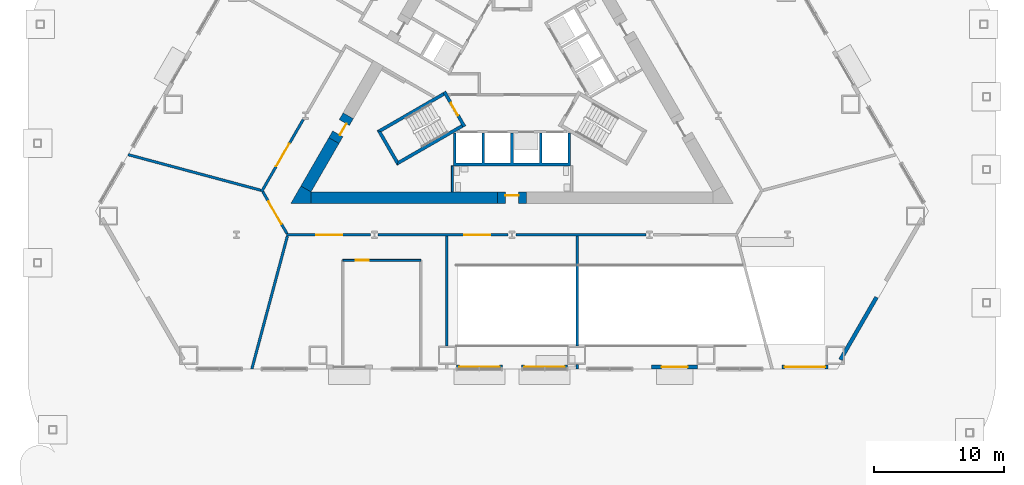
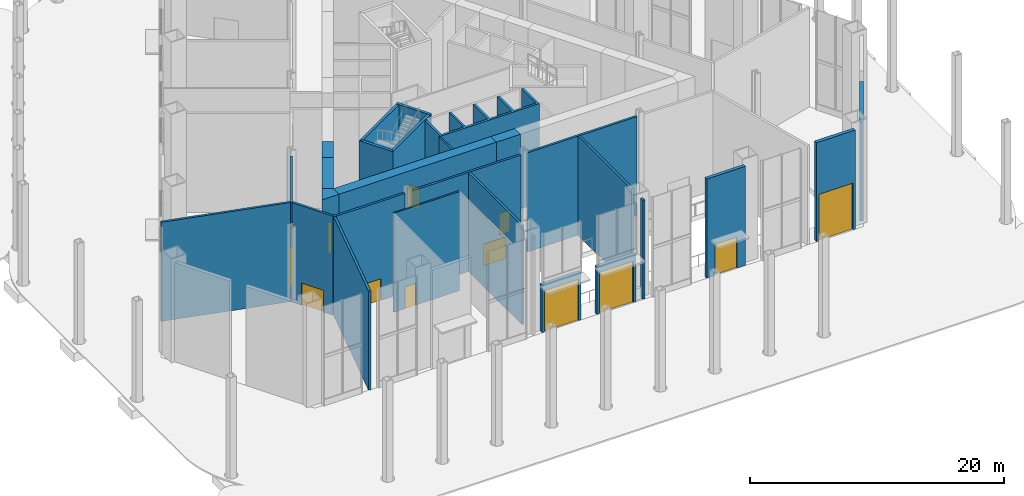
# One storey, part 10 of 18: 27 walls, 12 doors, 12 openings.
"""IFC4 building model written with IfcOpenShell, lengths in metres."""

from ifc_helpers import new_model, si_unit, direction, frame, frame_2d, origin, place, context, subcontext, project, spatial, polyline, rectangle, outline, extrude, material, layer, layer_set, type_object, element, fill, save


model = new_model("IFC4")

# Units and contexts
model_context = context("Model", 3, precision=1e-05, world=origin(), true_north=direction((0.0, 1.0)))
body_context = subcontext(model_context, "Body", "Model", "MODEL_VIEW")
ifc_project = project(units=[si_unit("LENGTHUNIT", "METRE"), si_unit("AREAUNIT", "SQUARE_METRE"), si_unit("VOLUMEUNIT", "CUBIC_METRE"), si_unit("PLANEANGLEUNIT", "RADIAN"), si_unit("MASSUNIT", "GRAM", prefix="KILO")], contexts=[model_context])

# Site, building, storey
site_placement = place(None, origin())
site = spatial("IfcSite", under=ifc_project, at=site_placement, CompositionType="ELEMENT")
building_placement = place(site_placement, origin())
building = spatial("IfcBuilding", under=site, at=building_placement, Name="Cormorant Prow Tower", CompositionType="ELEMENT")
storey_placement = place(building_placement, origin())
storey = spatial("IfcBuildingStorey", under=building, at=storey_placement, Name="L00", CompositionType="ELEMENT", Elevation=0.0)

# Wall
ifc_material_1 = material(Name="Gypsum board partition")
ifc_layer_1 = layer(ifc_material_1, 0.14990234375)
ifc_layer_set_1 = layer_set([ifc_layer_1], Name="Gypsum board partition")
wall_type_1 = type_object("IfcWallType", Name="Core partition 150", PredefinedType="PARTITIONING", material=ifc_layer_set_1)
wall_1_placement = place(storey_placement, frame((-4.574951171875, -6.906005859375, 0.0), z_axis=(0.0, 0.0, 1.0), x_axis=(0.0, -1.0, 0.0)))
element("IfcWall", 1, at=wall_1_placement, inside=storey, type_object=wall_type_1, Name="Service room partition", PredefinedType="PARTITIONING", context=body_context, shape_type="SweptSolid", body=[
    extrude(rectangle(XDim=2.009033203125, YDim=0.14990234375, at=frame_2d((1.00439453125, 0.0))), origin(), (0.0, 0.0, 1.0), 9.550048828125),
])

# Wall, opening, door
wall_2_placement = place(storey_placement, frame((-13.0, -14.166748046875, 0.0), z_axis=(0.0, 0.0, 1.0), x_axis=(1.0, 0.0, 0.0)))
wall_2 = element("IfcWall", 2, at=wall_2_placement, inside=storey, type_object=wall_type_1, Name="Loading dock inner wall", PredefinedType="PARTITIONING", context=body_context, shape_type="SweptSolid", body=[
    extrude(rectangle(XDim=6.0, YDim=0.14990234375, at=frame_2d((3.0, 0.0))), origin(), (0.0, 0.0, 1.0), 9.550048828125),
])
opening_1_placement = place(wall_2_placement, frame((1.0, 0.0, 0.0)))
opening_1 = element("IfcOpeningElement", 3, at=opening_1_placement, cuts=wall_2, Name="Opening L00-DD01", PredefinedType="OPENING", context=body_context, shape_type="SweptSolid", body=[
    extrude(rectangle(XDim=1.0, YDim=2.10009765625, at=frame_2d((0.5, 1.050048828125))), frame((0.0, 0.0849609375, 0.0), z_axis=(0.0, -1.0, 0.0), x_axis=(1.0, 0.0, 0.0)), (0.0, 0.0, 1.0), 0.169921875),
])
ifc_material_2 = material(Name="Painted steel", Category="steel")
door_type_1 = type_object("IfcDoorType", Name="Loading dock personnel door 1000x2100", OperationType="NOTDEFINED", PredefinedType="DOOR", material=ifc_material_2)
door_1_placement = place(opening_1_placement, origin())
door_1 = element("IfcDoor", 4, at=door_1_placement, inside=storey, type_object=door_type_1, Name="Loading dock personnel door", OperationType="SINGLE_SWING_LEFT", OverallHeight=2.10009765625, OverallWidth=1.0, PredefinedType="DOOR", context=body_context, shape_type="SweptSolid", body=[
    extrude(rectangle(XDim=1.0, YDim=2.10009765625, at=frame_2d((0.5, 1.050048828125))), frame((0.0, 0.02490234375, 0.0), z_axis=(0.0, -1.0, 0.0), x_axis=(1.0, 0.0, 0.0)), (0.0, 0.0, 1.0), 0.050048828125),
])
fill(opening_1, door_1)

# Walls
ifc_material_3 = material(Name="Concrete 8000 psi", Category="concrete")
ifc_layer_2 = layer(ifc_material_3, 0.89990234375)
ifc_layer_set_2 = layer_set([ifc_layer_2], Name="Concrete 8000 psi")
wall_type_2 = type_object("IfcWallType", Name="Core shear wall 900", PredefinedType="SHEAR", material=ifc_layer_set_2)
wall_3_placement = place(storey_placement, frame((-15.441162109375, -9.364990234375, 0.0), z_axis=(0.0, 0.0, 1.0), x_axis=(1.0, 0.0, 0.0)))
element("IfcWall", 5, at=wall_3_placement, inside=storey, type_object=wall_type_2, Name="Core wall", PredefinedType="SHEAR", context=body_context, shape_type="SweptSolid", body=[
    extrude(rectangle(XDim=14.341064453125, YDim=0.89990234375, at=frame_2d((7.17041015625, 0.0))), origin(), (0.0, 0.0, 1.0), 9.550048828125),
])
wall_4_placement = place(storey_placement, frame((-13.68310546875, -4.969970703125, 0.0), z_axis=(0.0, 0.0, 1.0), x_axis=(-0.499996331799, -0.866027521611, 0.0)))
element("IfcWall", 6, at=wall_4_placement, inside=storey, type_object=wall_type_2, Name="Core wall", PredefinedType="SHEAR", context=body_context, shape_type="SweptSolid", body=[
    extrude(rectangle(XDim=4.29541015625, YDim=0.89990234375, at=frame_2d((2.147705078125, 0.0))), origin(), (0.0, 0.0, 1.0), 9.550048828125),
])
wall_5_placement = place(storey_placement, origin())
element("IfcWall", 7, at=wall_5_placement, inside=storey, type_object=wall_type_2, Name="Core wall corner", PredefinedType="SHEAR", context=body_context, shape_type="SweptSolid", body=[
    extrude(outline(polyline([(-16.220703125, -8.465087890625), (-15.441162109375, -8.9150390625), (-15.441162109375, -9.81494140625), (-17.0, -9.81494140625), (-16.220703125, -8.465087890625)])), origin(), (0.0, 0.0, 1.0), 9.550048828125),
])

# Wall, opening, door
wall_6_placement = place(storey_placement, frame((-1.10009765625, -9.364990234375, 0.0), z_axis=(0.0, 0.0, 1.0), x_axis=(1.0, 0.0, 0.0)))
wall_6 = element("IfcWall", 8, at=wall_6_placement, inside=storey, type_object=wall_type_2, Name="Core wall door panel", PredefinedType="SHEAR", context=body_context, shape_type="SweptSolid", body=[
    extrude(rectangle(XDim=2.2001953125, YDim=0.89990234375, at=frame_2d((1.10009765625, 0.0))), origin(), (0.0, 0.0, 1.0), 9.550048828125),
])
opening_2_placement = place(wall_6_placement, frame((0.60009765625, 0.0, 0.0)))
opening_2 = element("IfcOpeningElement", 9, at=opening_2_placement, cuts=wall_6, Name="Opening L00-C16", PredefinedType="OPENING", context=body_context, shape_type="SweptSolid", body=[
    extrude(rectangle(XDim=1.0, YDim=2.10009765625, at=frame_2d((0.5, 1.050048828125))), frame((0.0, 0.4599609375, 0.0), z_axis=(0.0, -1.0, 0.0), x_axis=(1.0, 0.0, 0.0)), (0.0, 0.0, 1.0), 0.919921875),
])
ifc_material_4 = material(Name="Painted steel", Category="steel")
door_type_2 = type_object("IfcDoorType", Name="Service door 1000x2100", OperationType="NOTDEFINED", PredefinedType="DOOR", material=ifc_material_4)
door_2_placement = place(opening_2_placement, origin())
door_2 = element("IfcDoor", 10, at=door_2_placement, inside=storey, type_object=door_type_2, Name="Core door, Toilets (women) L00", OperationType="SINGLE_SWING_RIGHT", OverallHeight=2.10009765625, OverallWidth=1.0, PredefinedType="DOOR", context=body_context, shape_type="SweptSolid", body=[
    extrude(rectangle(XDim=1.0, YDim=2.10009765625, at=frame_2d((0.5, 1.050048828125))), frame((0.0, 0.205078125, 0.0), z_axis=(0.0, -1.0, 0.0), x_axis=(1.0, 0.0, 0.0)), (0.0, 0.0, 1.0), 0.050048828125),
])
fill(opening_2, door_2)

wall_7_placement = place(storey_placement, frame((-12.5830078125, -3.064697265625, 0.0), z_axis=(0.0, 0.0, 1.0), x_axis=(-0.50002983664, -0.866008176907, 0.0)))
wall_7 = element("IfcWall", 11, at=wall_7_placement, inside=storey, type_object=wall_type_2, Name="Core wall door panel", PredefinedType="SHEAR", context=body_context, shape_type="SweptSolid", body=[
    extrude(rectangle(XDim=2.199951171875, YDim=0.89990234375, at=frame_2d((1.10009765625, 0.0))), origin(), (0.0, 0.0, 1.0), 9.550048828125),
])
opening_3_placement = place(wall_7_placement, frame((0.60009765625, 0.0, 0.0)))
opening_3 = element("IfcOpeningElement", 12, at=opening_3_placement, cuts=wall_7, Name="Opening L00-C17", PredefinedType="OPENING", context=body_context, shape_type="SweptSolid", body=[
    extrude(rectangle(XDim=1.0, YDim=2.10009765625, at=frame_2d((0.5, 1.050048828125))), frame((0.0, 0.4599609375, 0.0), z_axis=(0.0, -1.0, 0.0), x_axis=(1.0, 0.0, 0.0)), (0.0, 0.0, 1.0), 0.919921875),
])
door_3_placement = place(opening_3_placement, origin())
door_3 = element("IfcDoor", 13, at=door_3_placement, inside=storey, type_object=door_type_2, Name="Core door, Pantry store", OperationType="SINGLE_SWING_RIGHT", OverallHeight=2.10009765625, OverallWidth=1.0, PredefinedType="DOOR", context=body_context, shape_type="SweptSolid", body=[
    extrude(rectangle(XDim=1.0, YDim=2.10009765625, at=frame_2d((0.5, 1.050048828125))), frame((0.0, 0.205078125, 0.0), z_axis=(0.0, -1.0, 0.0), x_axis=(1.0, 0.0, 0.0)), (0.0, 0.0, 1.0), 0.050048828125),
])
fill(opening_3, door_3)

ifc_material_5 = material(Name="Gypsum board corridor wall")
ifc_layer_3 = layer(ifc_material_5, 0.199951171875)
ifc_layer_set_3 = layer_set([ifc_layer_3], Name="Gypsum board corridor wall")
wall_type_3 = type_object("IfcWallType", Name="Corridor wall 200", PredefinedType="PARTITIONING", material=ifc_layer_set_3)
wall_8_placement = place(storey_placement, frame((-10.28369140625, -12.215087890625, 0.0), z_axis=(0.0, 0.0, 1.0), x_axis=(1.0, 0.0, 0.0)))
wall_8 = element("IfcWall", 14, at=wall_8_placement, inside=storey, type_object=wall_type_3, Name="Corridor wall", PredefinedType="PARTITIONING", context=body_context, shape_type="SweptSolid", body=[
    extrude(rectangle(XDim=9.98876953125, YDim=0.199951171875, at=frame_2d((4.994384765625, 0.0))), origin(), (0.0, 0.0, 1.0), 9.550048828125),
])
opening_4_placement = place(wall_8_placement, frame((6.625732421875, 0.0, 0.0)))
opening_4 = element("IfcOpeningElement", 15, at=opening_4_placement, cuts=wall_8, Name="Opening L00-F02", PredefinedType="OPENING", context=body_context, shape_type="SweptSolid", body=[
    extrude(rectangle(XDim=2.0, YDim=2.10009765625, at=frame_2d((1.0, 1.050048828125))), frame((0.0, 0.10986328125, 0.0), z_axis=(0.0, -1.0, 0.0), x_axis=(1.0, 0.0, 0.0)), (0.0, 0.0, 1.0), 0.219970703125),
])
ifc_material_6 = material(Name="Glazed aluminium door", Category="aluminium")
door_type_3 = type_object("IfcDoorType", Name="Glazed double door 2000x2100", OperationType="DOUBLE_DOOR_SINGLE_SWING", PredefinedType="DOOR", material=ifc_material_6)
door_4_placement = place(opening_4_placement, origin())
door_4 = element("IfcDoor", 16, at=door_4_placement, inside=storey, type_object=door_type_3, Name="Tower entrance lobby door", OperationType="DOUBLE_DOOR_SINGLE_SWING", OverallHeight=2.10009765625, OverallWidth=2.0, PredefinedType="DOOR", context=body_context, shape_type="SweptSolid", body=[
    extrude(rectangle(XDim=2.0, YDim=2.10009765625, at=frame_2d((1.0, 1.050048828125))), frame((0.0, 0.02490234375, 0.0), z_axis=(0.0, -1.0, 0.0), x_axis=(1.0, 0.0, 0.0)), (0.0, 0.0, 1.0), 0.050048828125),
])
fill(opening_4, door_4)

# Wall
wall_9_placement = place(storey_placement, frame((0.294921875, -12.215087890625, 0.0), z_axis=(0.0, 0.0, 1.0), x_axis=(1.0, 0.0, 0.0)))
element("IfcWall", 17, at=wall_9_placement, inside=storey, type_object=wall_type_3, Name="Corridor wall", PredefinedType="PARTITIONING", context=body_context, shape_type="SweptSolid", body=[
    extrude(rectangle(XDim=9.98876953125, YDim=0.199951171875, at=frame_2d((4.994384765625, 0.0))), origin(), (0.0, 0.0, 1.0), 9.550048828125),
])

# Wall, opening, door
wall_10_placement = place(storey_placement, frame((-17.330810546875, -12.215087890625, 0.0), z_axis=(0.0, 0.0, 1.0), x_axis=(1.0, 0.0, 0.0)))
wall_10 = element("IfcWall", 18, at=wall_10_placement, inside=storey, type_object=wall_type_3, Name="Corridor wall", PredefinedType="PARTITIONING", context=body_context, shape_type="SweptSolid", body=[
    extrude(rectangle(XDim=6.45751953125, YDim=0.199951171875, at=frame_2d((3.228759765625, 0.0))), origin(), (0.0, 0.0, 1.0), 9.550048828125),
])
opening_5_placement = place(wall_10_placement, frame((2.279541015625, 0.0, 0.0)))
opening_5 = element("IfcOpeningElement", 19, at=opening_5_placement, cuts=wall_10, Name="Opening L00-F01", PredefinedType="OPENING", context=body_context, shape_type="SweptSolid", body=[
    extrude(rectangle(XDim=2.0, YDim=2.10009765625, at=frame_2d((1.0, 1.050048828125))), frame((0.0, 0.10986328125, 0.0), z_axis=(0.0, -1.0, 0.0), x_axis=(1.0, 0.0, 0.0)), (0.0, 0.0, 1.0), 0.219970703125),
])
door_5_placement = place(opening_5_placement, origin())
door_5 = element("IfcDoor", 20, at=door_5_placement, inside=storey, type_object=door_type_3, Name="Retail unit door", OperationType="DOUBLE_DOOR_SINGLE_SWING", OverallHeight=2.10009765625, OverallWidth=2.0, PredefinedType="DOOR", context=body_context, shape_type="SweptSolid", body=[
    extrude(rectangle(XDim=2.0, YDim=2.10009765625, at=frame_2d((1.0, 1.050048828125))), frame((0.0, 0.02490234375, 0.0), z_axis=(0.0, -1.0, 0.0), x_axis=(1.0, 0.0, 0.0)), (0.0, 0.0, 1.0), 0.050048828125),
])
fill(opening_5, door_5)

wall_11_placement = place(storey_placement, frame((-19.243896484375, -8.901611328125, 0.0), z_axis=(0.0, 0.0, 1.0), x_axis=(0.499988314375, 0.866032150378, 0.0)))
wall_11 = element("IfcWall", 21, at=wall_11_placement, inside=storey, type_object=wall_type_3, Name="Corridor wall", PredefinedType="PARTITIONING", context=body_context, shape_type="SweptSolid", body=[
    extrude(rectangle(XDim=6.412353515625, YDim=0.199951171875, at=frame_2d((3.2060546875, 0.0))), origin(), (0.0, 0.0, 1.0), 9.550048828125),
])
opening_6_placement = place(wall_11_placement, frame((2.256103515625, 0.0, 0.0)))
opening_6 = element("IfcOpeningElement", 22, at=opening_6_placement, cuts=wall_11, Name="Opening L00-F09", PredefinedType="OPENING", context=body_context, shape_type="SweptSolid", body=[
    extrude(rectangle(XDim=2.0, YDim=2.10009765625, at=frame_2d((1.0, 1.050048828125))), frame((0.0, 0.10986328125, 0.0), z_axis=(0.0, -1.0, 0.0), x_axis=(1.0, 0.0, 0.0)), (0.0, 0.0, 1.0), 0.219970703125),
])
door_6_placement = place(opening_6_placement, origin())
door_6 = element("IfcDoor", 23, at=door_6_placement, inside=storey, type_object=door_type_3, Name="Retail unit door", OperationType="DOUBLE_DOOR_SINGLE_SWING", OverallHeight=2.10009765625, OverallWidth=2.0, PredefinedType="DOOR", context=body_context, shape_type="SweptSolid", body=[
    extrude(rectangle(XDim=2.0, YDim=2.10009765625, at=frame_2d((1.0, 1.050048828125))), frame((0.0, 0.02490234375, 0.0), z_axis=(0.0, -1.0, 0.0), x_axis=(1.0, 0.0, 0.0)), (0.0, 0.0, 1.0), 0.050048828125),
])
fill(opening_6, door_6)

wall_12_placement = place(storey_placement, frame((-19.143798828125, -8.901611328125, 0.0), z_axis=(0.0, 0.0, 1.0), x_axis=(0.499958791762, -0.866049194065, 0.0)))
wall_12 = element("IfcWall", 24, at=wall_12_placement, inside=storey, type_object=wall_type_3, Name="Corridor wall", PredefinedType="PARTITIONING", context=body_context, shape_type="SweptSolid", body=[
    extrude(rectangle(XDim=3.725830078125, YDim=0.199951171875, at=frame_2d((1.86279296875, 0.0))), origin(), (0.0, 0.0, 1.0), 9.550048828125),
])
opening_7_placement = place(wall_12_placement, frame((0.863037109375, 0.0, 0.0)))
opening_7 = element("IfcOpeningElement", 25, at=opening_7_placement, cuts=wall_12, Name="Opening L00-F10", PredefinedType="OPENING", context=body_context, shape_type="SweptSolid", body=[
    extrude(rectangle(XDim=2.0, YDim=2.10009765625, at=frame_2d((1.0, 1.050048828125))), frame((0.0, 0.10986328125, 0.0), z_axis=(0.0, -1.0, 0.0), x_axis=(1.0, 0.0, 0.0)), (0.0, 0.0, 1.0), 0.219970703125),
])
door_7_placement = place(opening_7_placement, origin())
door_7 = element("IfcDoor", 26, at=door_7_placement, inside=storey, type_object=door_type_3, Name="Retail unit door", OperationType="DOUBLE_DOOR_SINGLE_SWING", OverallHeight=2.10009765625, OverallWidth=2.0, PredefinedType="DOOR", context=body_context, shape_type="SweptSolid", body=[
    extrude(rectangle(XDim=2.0, YDim=2.10009765625, at=frame_2d((1.0, 1.050048828125))), frame((0.0, 0.02490234375, 0.0), z_axis=(0.0, -1.0, 0.0), x_axis=(1.0, 0.0, 0.0)), (0.0, 0.0, 1.0), 0.050048828125),
])
fill(opening_7, door_7)

# Walls
ifc_material_7 = material(Name="Gypsum board demising wall")
ifc_layer_4 = layer(ifc_material_7, 0.199951171875)
ifc_layer_set_4 = layer_set([ifc_layer_4], Name="Gypsum board demising wall")
wall_type_4 = type_object("IfcWallType", Name="Demising wall 200", PredefinedType="PARTITIONING", material=ifc_layer_set_4)
for number, where, z_axis, x_axis, name in (
    (27, (-29.493408203125, -6.050537109375, 0.0), (0.0, 0.0, 1.0), (0.965815181093, -0.259231626099, 0.0), "Demising wall"),
    (28, (-19.986572265625, -22.5166015625, 0.0), (0.0, 0.0, 1.0), (0.258424938993, 0.96603134054, 0.0), "Demising wall"),
):
    element("IfcWall", number, at=place(storey_placement, frame(where, z_axis=z_axis, x_axis=x_axis)), inside=storey, type_object=wall_type_4, Name=name, PredefinedType="PARTITIONING", context=body_context, shape_type="SweptSolid", body=[
        extrude(rectangle(XDim=10.56396484375, YDim=0.199951171875, at=frame_2d((5.281982421875, 0.0))), origin(), (0.0, 0.0, 1.0), 9.550048828125),
    ])
for number, where, z_axis, x_axis, name in (
    (29, (-5.0, -20.75, 0.0), (0.0, 0.0, 1.0), (0.0, 1.0, 0.0), "Demising wall"),
    (30, (5.0, -20.75, 0.0), (0.0, 0.0, 1.0), (0.0, 1.0, 0.0), "Demising wall"),
):
    element("IfcWall", number, at=place(storey_placement, frame(where, z_axis=z_axis, x_axis=x_axis)), inside=storey, type_object=wall_type_4, Name=name, PredefinedType="PARTITIONING", context=body_context, shape_type="SweptSolid", body=[
        extrude(rectangle(XDim=8.43505859375, YDim=0.199951171875, at=frame_2d((4.217529296875, 0.0))), origin(), (0.0, 0.0, 1.0), 9.550048828125),
    ])
wall_13_placement = place(storey_placement, frame((5.0, -22.5166015625, 0.0), z_axis=(0.0, 0.0, 1.0), x_axis=(0.0, 1.0, 0.0)))
element("IfcWall", 31, at=wall_13_placement, inside=storey, type_object=wall_type_4, Name="Demising wall", PredefinedType="PARTITIONING", context=body_context, shape_type="SweptSolid", body=[
    extrude(rectangle(XDim=0.3466796875, YDim=0.199951171875, at=frame_2d((0.17333984375, 0.0))), origin(), (0.0, 0.0, 1.0), 9.550048828125),
])
ifc_material_8 = material(Name="Concrete 8000 psi", Category="concrete")
ifc_layer_5 = layer(ifc_material_8, 0.199951171875)
ifc_layer_set_5 = layer_set([ifc_layer_5], Name="Concrete 8000 psi")
wall_type_5 = type_object("IfcWallType", Name="Lift shaft wall 200", PredefinedType="SHEAR", material=ifc_layer_set_5)
wall_14_placement = place(storey_placement, origin())
element("IfcWall", 32, at=wall_14_placement, inside=storey, type_object=wall_type_5, Name="Lift shaft walls, S block", PredefinedType="SHEAR", context=body_context, shape_type="SweptSolid", body=[
    extrude(outline(polyline([(4.5, -4.39990234375), (4.5, -6.906005859375), (-4.5, -6.906005859375), (-4.5, -4.39990234375), (-4.300048828125, -4.39990234375), (-4.300048828125, -6.699951171875), (-2.300048828125, -6.699951171875), (-2.300048828125, -4.39990234375), (-2.10009765625, -4.39990234375), (-2.10009765625, -6.699951171875), (-0.10009765625, -6.699951171875), (-0.10009765625, -4.39990234375), (0.10009765625, -4.39990234375), (0.10009765625, -6.699951171875), (2.10009765625, -6.699951171875), (2.10009765625, -4.39990234375), (2.300048828125, -4.39990234375), (2.300048828125, -6.699951171875), (4.300048828125, -6.699951171875), (4.300048828125, -4.39990234375), (4.5, -4.39990234375)])), origin(), (0.0, 0.0, 1.0), 9.550048828125),
])
ifc_material_9 = material(Name="Concrete 8000 psi", Category="concrete")
ifc_layer_6 = layer(ifc_material_9, 0.25)
ifc_layer_set_6 = layer_set([ifc_layer_6], Name="Concrete 8000 psi")
wall_type_6 = type_object("IfcWallType", Name="Stair wall 250", PredefinedType="SHEAR", material=ifc_layer_set_6)
wall_15_placement = place(storey_placement, origin())
element("IfcWall", 33, at=wall_15_placement, inside=storey, type_object=wall_type_6, Name="Stair ST1 enclosure wall (flank)", PredefinedType="SHEAR", context=body_context, shape_type="SweptSolid", body=[
    extrude(outline(polyline([(-5.30712890625, -1.28125), (-10.37353515625, -4.206298828125), (-10.031982421875, -4.2978515625), (-5.18212890625, -1.497802734375), (-5.30712890625, -1.28125)])), origin(), (0.0, 0.0, 1.0), 9.550048828125),
])
wall_16_placement = place(storey_placement, origin())
element("IfcWall", 34, at=wall_16_placement, inside=storey, type_object=wall_type_6, Name="Stair ST1 enclosure wall (end)", PredefinedType="SHEAR", context=body_context, shape_type="SweptSolid", body=[
    extrude(outline(polyline([(-10.37353515625, -4.206298828125), (-8.82958984375, -6.880615234375), (-8.738037109375, -6.5390625), (-10.031982421875, -4.2978515625), (-10.37353515625, -4.206298828125)])), origin(), (0.0, 0.0, 1.0), 9.550048828125),
])
wall_17_placement = place(storey_placement, origin())
element("IfcWall", 35, at=wall_17_placement, inside=storey, type_object=wall_type_6, Name="Stair ST1 enclosure wall (flank)", PredefinedType="SHEAR", context=body_context, shape_type="SweptSolid", body=[
    extrude(outline(polyline([(-8.738037109375, -6.5390625), (-8.82958984375, -6.880615234375), (-3.76318359375, -3.95556640625), (-3.88818359375, -3.739013671875), (-8.738037109375, -6.5390625)])), origin(), (0.0, 0.0, 1.0), 9.550048828125),
])

# Wall, opening, door
wall_18_placement = place(storey_placement, frame((-5.198974609375, -1.21875, 0.0), z_axis=(0.0, 0.0, 1.0), x_axis=(0.499982516597, -0.866035497597, 0.0)))
wall_18 = element("IfcWall", 36, at=wall_18_placement, inside=storey, type_object=wall_type_6, Name="Stair ST1 door wall", PredefinedType="SHEAR", context=body_context, shape_type="SweptSolid", body=[
    extrude(rectangle(XDim=3.087890625, YDim=0.25, at=frame_2d((1.5439453125, 0.0))), origin(), (0.0, 0.0, 1.0), 9.550048828125),
])
opening_8_placement = place(wall_18_placement, frame((0.993896484375, 0.0, 0.0)))
opening_8 = element("IfcOpeningElement", 37, at=opening_8_placement, cuts=wall_18, Name="Opening L00-C13", PredefinedType="OPENING", context=body_context, shape_type="SweptSolid", body=[
    extrude(rectangle(XDim=1.10009765625, YDim=2.10009765625, at=frame_2d((0.550048828125, 1.050048828125))), frame((0.0, 0.135009765625, 0.0), z_axis=(0.0, -1.0, 0.0), x_axis=(1.0, 0.0, 0.0)), (0.0, 0.0, 1.0), 0.27001953125),
])
ifc_material_10 = material(Name="Painted steel", Category="steel")
door_type_4 = type_object("IfcDoorType", Name="Stair door 1100x2100", OperationType="NOTDEFINED", PredefinedType="DOOR", material=ifc_material_10)
door_8_placement = place(opening_8_placement, origin())
door_8 = element("IfcDoor", 38, at=door_8_placement, inside=storey, type_object=door_type_4, Name="Stair ST1 door", OperationType="SINGLE_SWING_LEFT", OverallHeight=2.10009765625, OverallWidth=1.10009765625, PredefinedType="DOOR", context=body_context, shape_type="SweptSolid", body=[
    extrude(rectangle(XDim=1.10009765625, YDim=2.10009765625, at=frame_2d((0.550048828125, 1.050048828125))), frame((0.0, 0.02490234375, 0.0), z_axis=(0.0, -1.0, 0.0), x_axis=(1.0, 0.0, 0.0)), (0.0, 0.0, 1.0), 0.050048828125),
])
fill(opening_8, door_8)

ifc_material_11 = material(Name="Terracotta", Category="masonry")
ifc_layer_7 = layer(ifc_material_11, 0.300048828125)
ifc_layer_set_7 = layer_set([ifc_layer_7], Name="Terracotta")
wall_type_7 = type_object("IfcWallType", Name="Terracotta portal wall 300", PredefinedType="SOLIDWALL", material=ifc_layer_set_7)
wall_19_placement = place(storey_placement, frame((-0.72998046875, -22.36669921875, 0.0), z_axis=(0.0, 0.0, 1.0), x_axis=(-1.0, 0.0, 0.0)))
wall_19 = element("IfcWall", 39, at=wall_19_placement, inside=storey, type_object=wall_type_7, Name="Terracotta portal wall S04", PredefinedType="SOLIDWALL", context=body_context, shape_type="SweptSolid", body=[
    extrude(rectangle(XDim=3.5400390625, YDim=0.300048828125, at=frame_2d((1.77001953125, 0.0))), origin(), (0.0, 0.0, 1.0), 4.60009765625),
])
opening_9_placement = place(wall_19_placement, frame((0.219970703125, 0.0, 0.0)))
opening_9 = element("IfcOpeningElement", 40, at=opening_9_placement, cuts=wall_19, Name="Opening ED00.02", PredefinedType="OPENING", context=body_context, shape_type="SweptSolid", body=[
    extrude(rectangle(XDim=3.10009765625, YDim=4.0, at=frame_2d((1.550048828125, 2.0))), frame((0.0, 0.159912109375, 0.0), z_axis=(0.0, -1.0, 0.0), x_axis=(1.0, 0.0, 0.0)), (0.0, 0.0, 1.0), 0.320068359375),
])
ifc_material_12 = material(Name="Aluminium 6063-T6", Category="aluminium")
door_type_5 = type_object("IfcDoorType", Name="Concourse portal door 3100x4000", OperationType="DOUBLE_DOOR_DOUBLE_SWING", PredefinedType="DOOR", material=ifc_material_12)
door_9_placement = place(opening_9_placement, origin())
door_9 = element("IfcDoor", 41, at=door_9_placement, inside=storey, type_object=door_type_5, Name="Concourse portal door S04 ED00.02", OperationType="DOUBLE_DOOR_DOUBLE_SWING", OverallHeight=4.0, OverallWidth=3.10009765625, PredefinedType="DOOR", context=body_context, shape_type="SweptSolid", body=[
    extrude(rectangle(XDim=3.10009765625, YDim=4.0, at=frame_2d((1.550048828125, 2.0))), frame((0.0, 0.02490234375, 0.0), z_axis=(0.0, -1.0, 0.0), x_axis=(1.0, 0.0, 0.0)), (0.0, 0.0, 1.0), 0.050048828125),
])
fill(opening_9, door_9)

wall_20_placement = place(storey_placement, frame((4.27001953125, -22.36669921875, 0.0), z_axis=(0.0, 0.0, 1.0), x_axis=(-1.0, 0.0, 0.0)))
wall_20 = element("IfcWall", 42, at=wall_20_placement, inside=storey, type_object=wall_type_7, Name="Terracotta portal wall S05", PredefinedType="SOLIDWALL", context=body_context, shape_type="SweptSolid", body=[
    extrude(rectangle(XDim=3.5400390625, YDim=0.300048828125, at=frame_2d((1.77001953125, 0.0))), origin(), (0.0, 0.0, 1.0), 4.60009765625),
])
opening_10_placement = place(wall_20_placement, frame((0.219970703125, 0.0, 0.0)))
opening_10 = element("IfcOpeningElement", 43, at=opening_10_placement, cuts=wall_20, Name="Opening ED00.03", PredefinedType="OPENING", context=body_context, shape_type="SweptSolid", body=[
    extrude(rectangle(XDim=3.10009765625, YDim=4.0, at=frame_2d((1.550048828125, 2.0))), frame((0.0, 0.159912109375, 0.0), z_axis=(0.0, -1.0, 0.0), x_axis=(1.0, 0.0, 0.0)), (0.0, 0.0, 1.0), 0.320068359375),
])
door_10_placement = place(opening_10_placement, origin())
door_10 = element("IfcDoor", 44, at=door_10_placement, inside=storey, type_object=door_type_5, Name="Concourse portal door S05 ED00.03", OperationType="DOUBLE_DOOR_DOUBLE_SWING", OverallHeight=4.0, OverallWidth=3.10009765625, PredefinedType="DOOR", context=body_context, shape_type="SweptSolid", body=[
    extrude(rectangle(XDim=3.10009765625, YDim=4.0, at=frame_2d((1.550048828125, 2.0))), frame((0.0, 0.02490234375, 0.0), z_axis=(0.0, -1.0, 0.0), x_axis=(1.0, 0.0, 0.0)), (0.0, 0.0, 1.0), 0.050048828125),
])
fill(opening_10, door_10)

wall_21_placement = place(storey_placement, frame((14.27001953125, -22.36669921875, 0.0), z_axis=(0.0, 0.0, 1.0), x_axis=(-1.0, 0.0, 0.0)))
wall_21 = element("IfcWall", 45, at=wall_21_placement, inside=storey, type_object=wall_type_7, Name="Terracotta entrance wall S07", PredefinedType="SOLIDWALL", context=body_context, shape_type="SweptSolid", body=[
    extrude(rectangle(XDim=3.5400390625, YDim=0.300048828125, at=frame_2d((1.77001953125, 0.0))), origin(), (0.0, 0.0, 1.0), 9.550048828125),
])
opening_11_placement = place(wall_21_placement, frame((0.77001953125, 0.0, 0.0)))
opening_11 = element("IfcOpeningElement", 46, at=opening_11_placement, cuts=wall_21, Name="Opening ED00.04", PredefinedType="OPENING", context=body_context, shape_type="SweptSolid", body=[
    extrude(rectangle(XDim=2.0, YDim=3.0, at=frame_2d((1.0, 1.5))), frame((0.0, 0.159912109375, 0.0), z_axis=(0.0, -1.0, 0.0), x_axis=(1.0, 0.0, 0.0)), (0.0, 0.0, 1.0), 0.320068359375),
])
ifc_material_13 = material(Name="Aluminium 6063-T6", Category="aluminium")
door_type_6 = type_object("IfcDoorType", Name="Retail entrance door 2000x3000", OperationType="DOUBLE_DOOR_SINGLE_SWING", PredefinedType="DOOR", material=ifc_material_13)
door_11_placement = place(opening_11_placement, origin())
door_11 = element("IfcDoor", 47, at=door_11_placement, inside=storey, type_object=door_type_6, Name="Retail entrance door S07 ED00.04", OperationType="DOUBLE_DOOR_SINGLE_SWING", OverallHeight=3.0, OverallWidth=2.0, PredefinedType="DOOR", context=body_context, shape_type="SweptSolid", body=[
    extrude(rectangle(XDim=2.0, YDim=3.0, at=frame_2d((1.0, 1.5))), frame((0.0, 0.02490234375, 0.0), z_axis=(0.0, -1.0, 0.0), x_axis=(1.0, 0.0, 0.0)), (0.0, 0.0, 1.0), 0.050048828125),
])
fill(opening_11, door_11)

wall_22_placement = place(storey_placement, frame((24.27001953125, -22.36669921875, 0.0), z_axis=(0.0, 0.0, 1.0), x_axis=(-1.0, 0.0, 0.0)))
wall_22 = element("IfcWall", 48, at=wall_22_placement, inside=storey, type_object=wall_type_7, Name="Terracotta gate wall S09", PredefinedType="SOLIDWALL", context=body_context, shape_type="SweptSolid", body=[
    extrude(rectangle(XDim=3.5400390625, YDim=0.300048828125, at=frame_2d((1.77001953125, 0.0))), origin(), (0.0, 0.0, 1.0), 9.550048828125),
])
opening_12_placement = place(wall_22_placement, frame((0.219970703125, 0.0, 0.0)))
opening_12 = element("IfcOpeningElement", 49, at=opening_12_placement, cuts=wall_22, Name="Opening ED00.05", PredefinedType="OPENING", context=body_context, shape_type="SweptSolid", body=[
    extrude(rectangle(XDim=3.10009765625, YDim=4.5, at=frame_2d((1.550048828125, 2.25))), frame((0.0, 0.159912109375, 0.0), z_axis=(0.0, -1.0, 0.0), x_axis=(1.0, 0.0, 0.0)), (0.0, 0.0, 1.0), 0.320068359375),
])
ifc_material_14 = material(Name="Aluminium 6063-T6", Category="aluminium")
door_type_7 = type_object("IfcDoorType", Name="Vehicle gate 3100x4500", OperationType="ROLLINGUP", PredefinedType="GATE", material=ifc_material_14)
door_12_placement = place(opening_12_placement, origin())
door_12 = element("IfcDoor", 50, at=door_12_placement, inside=storey, type_object=door_type_7, Name="Vehicle gate S09 ED00.05", OperationType="ROLLINGUP", OverallHeight=4.5, OverallWidth=3.10009765625, PredefinedType="GATE", context=body_context, shape_type="SweptSolid", body=[
    extrude(rectangle(XDim=3.10009765625, YDim=4.5, at=frame_2d((1.550048828125, 2.25))), frame((0.0, 0.02490234375, 0.0), z_axis=(0.0, -1.0, 0.0), x_axis=(1.0, 0.0, 0.0)), (0.0, 0.0, 1.0), 0.050048828125),
])
fill(opening_12, door_12)

# Wall
wall_23_placement = place(storey_placement, frame((25.235107421875, -21.8095703125, 0.0), z_axis=(0.0, 0.0, 1.0), x_axis=(0.499997108352, 0.866027073272, 0.0)))
element("IfcWall", 51, at=wall_23_placement, inside=storey, type_object=wall_type_7, Name="Terracotta corner wall ESE00", PredefinedType="SOLIDWALL", context=body_context, shape_type="SweptSolid", body=[
    extrude(rectangle(XDim=5.5400390625, YDim=0.300048828125, at=frame_2d((2.77001953125, 0.0))), origin(), (0.0, 0.0, 1.0), 9.550048828125),
])

save(model, "model.ifc")
